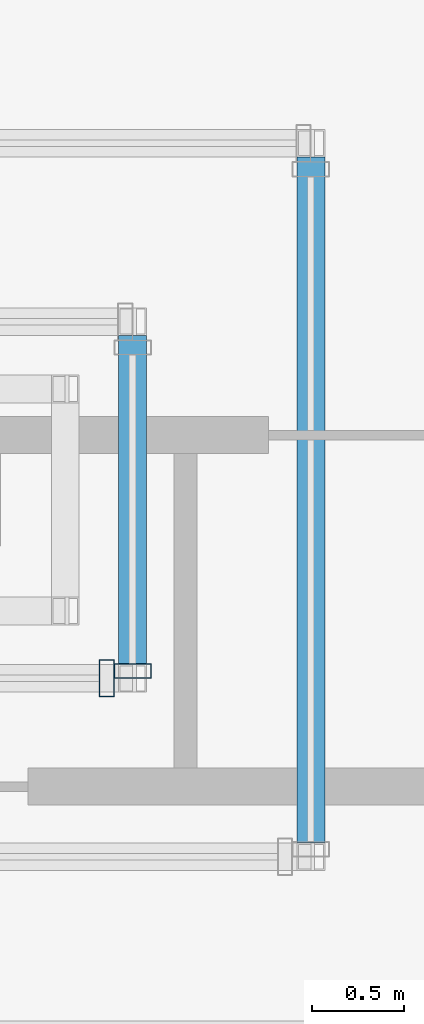
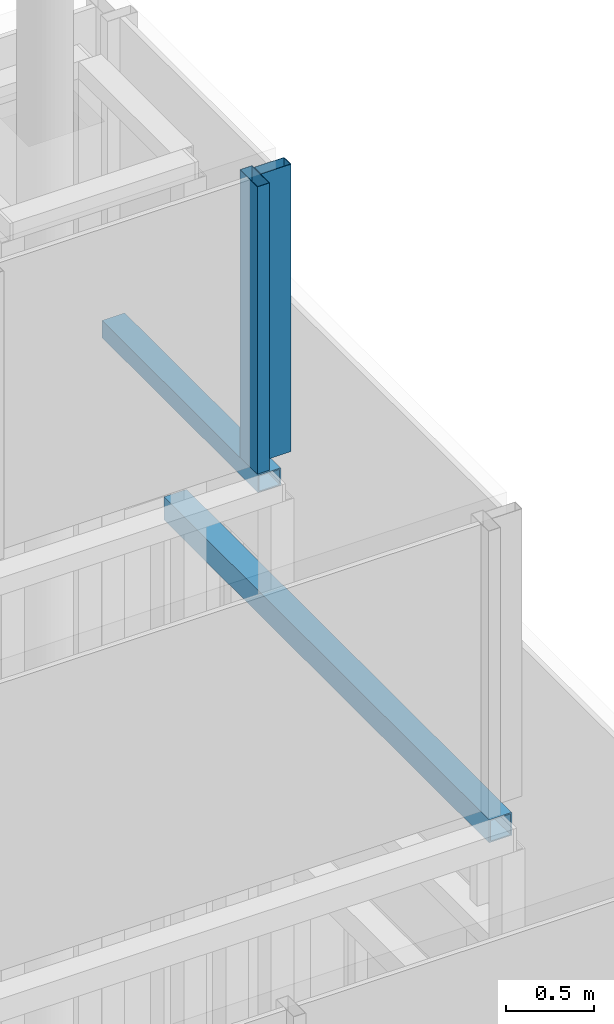
# One storey, part 40 of 62: 2 beams, 2 members, 2 elements without a shape of their own.
"""IFC4 building model written with IfcOpenShell, lengths in metres."""

from ifc_helpers import new_model, si_unit, direction, frame, origin, origin_2d, place, context, subcontext, project, spatial, hollow_rectangle, extrude, material, material_profile, profile_set, type_object, element, aggregate, save


model = new_model("IFC4")

# Units and contexts
model_context = context("Model", 3, precision=1e-05, world=origin(), true_north=direction((0.0, 1.0)))
body_context = subcontext(model_context, "Body", "Model", "MODEL_VIEW")
ifc_project = project(units=[si_unit("LENGTHUNIT", "METRE"), si_unit("AREAUNIT", "SQUARE_METRE"), si_unit("VOLUMEUNIT", "CUBIC_METRE"), si_unit("PLANEANGLEUNIT", "RADIAN"), si_unit("MASSUNIT", "GRAM", prefix="KILO")], contexts=[model_context])

# Site, building, storey
site_placement = place(None, origin())
site = spatial("IfcSite", under=ifc_project, at=site_placement, CompositionType="ELEMENT")
building_placement = place(site_placement, origin())
building = spatial("IfcBuilding", under=site, at=building_placement, Name="Altepetl Exchange Towers", CompositionType="ELEMENT")
storey_placement = place(building_placement, frame((0.0, 0.0, 210.0)))
storey = spatial("IfcBuildingStorey", under=building, at=storey_placement, Name="L53", CompositionType="ELEMENT", Elevation=210.0)

# Beams
ifc_material_1 = material(Name="Steel S355", Category="steel")
ifc_material_profile_1 = material_profile(ifc_material_1, hollow_rectangle(XDim=0.14990234375, YDim=0.1201171875, WallThickness=0.008056640625, at=origin_2d()), Name="RHS 120x150x8")
ifc_profile_set_1 = profile_set([ifc_material_profile_1], Name="Steel S355")
beam_type_1 = type_object("IfcBeamType", Name="Crown ring beam hollow section 150x120x8", PredefinedType="BEAM", material=ifc_profile_set_1)
beam_1_placement = place(storey_placement, frame((111.21435546875, 41.860595703125, 14.139892578125), z_axis=(0.0, 1.0, 0.0), x_axis=(-1.0, 0.0, 0.0)))
element("IfcBeam", 1, at=beam_1_placement, inside=storey, type_object=beam_type_1, Name="Crown ring beam", PredefinedType="BEAM", context=body_context, shape_type="SweptSolid", body=[
    extrude(hollow_rectangle(XDim=0.14990234375, YDim=0.1201171875, WallThickness=0.008056640625, at=origin_2d()), origin(), (0.0, 0.0, 1.0), 1.77880859375),
])
ifc_material_profile_2 = material_profile(ifc_material_1, hollow_rectangle(XDim=0.14990234375, YDim=0.159912109375, WallThickness=0.008056640625, at=origin_2d()), Name="RHS 160x150x8")
ifc_profile_set_2 = profile_set([ifc_material_profile_2], Name="Steel S355")
beam_type_2 = type_object("IfcBeamType", Name="Crown ring beam hollow section 150x160x8", PredefinedType="BEAM", material=ifc_profile_set_2)
beam_2_placement = place(storey_placement, frame((112.178466796875, 40.896484375, 11.969970703125), z_axis=(0.0, 1.0, 0.0), x_axis=(-1.0, 0.0, 0.0)))
element("IfcBeam", 2, at=beam_2_placement, inside=storey, type_object=beam_type_2, Name="Crown ring beam", PredefinedType="BEAM", context=body_context, shape_type="SweptSolid", body=[
    extrude(hollow_rectangle(XDim=0.14990234375, YDim=0.159912109375, WallThickness=0.008056640625, at=origin_2d()), origin(), (0.0, 0.0, 1.0), 3.70703125),
])

# Curtain wall, member
ifc_material_2 = material(Name="Aluminium 6063-T6 glazing", Category="aluminium")
curtain_wall_type = type_object("IfcCurtainWallType", Name="Crown glazing system", PredefinedType="NOTDEFINED", material=ifc_material_2)
curtain_wall_1_placement = place(storey_placement, origin())
curtain_wall_1 = element("IfcCurtainWall", 3, at=curtain_wall_1_placement, inside=storey, type_object=curtain_wall_type, Name="CW7 run", PredefinedType="NOTDEFINED")
ifc_material_3 = material(Name="Aluminium 6063-T6", Category="aluminium")
ifc_material_profile_3 = material_profile(ifc_material_3, hollow_rectangle(XDim=0.080078125, YDim=0.199951171875, WallThickness=0.0029296875, at=origin_2d()), Name="Mullion 80x200 hollow aluminium")
ifc_profile_set_3 = profile_set([ifc_material_profile_3], Name="Aluminium 6063-T6")
member_type = type_object("IfcMemberType", Name="Mullion 80x200 hollow aluminium", PredefinedType="MULLION", material=ifc_profile_set_3)
member_1_placement = place(storey_placement, frame((111.07421875, 41.78564453125, 14.35009765625)))
member_1 = element("IfcMember", 4, at=member_1_placement, type_object=member_type, Name="MU5 mullion", PredefinedType="MULLION", context=body_context, shape_type="SweptSolid", body=[
    extrude(hollow_rectangle(XDim=0.080078125, YDim=0.199951171875, WallThickness=0.0029296875, at=origin_2d()), origin(), (0.0, 0.0, 1.0), 2.0),
])
aggregate(curtain_wall_1, [member_1])

curtain_wall_2_placement = place(storey_placement, origin())
curtain_wall_2 = element("IfcCurtainWall", 5, at=curtain_wall_2_placement, inside=storey, type_object=curtain_wall_type, Name="CW7 run", PredefinedType="NOTDEFINED")
member_2_placement = place(storey_placement, frame((111.21435546875, 41.82568359375, 14.35009765625), z_axis=(0.0, 0.0, 1.0), x_axis=(0.0, 1.0, 0.0)))
member_2 = element("IfcMember", 6, at=member_2_placement, type_object=member_type, Name="MU5 mullion", PredefinedType="MULLION", context=body_context, shape_type="SweptSolid", body=[
    extrude(hollow_rectangle(XDim=0.080078125, YDim=0.199951171875, WallThickness=0.0029296875, at=origin_2d()), origin(), (0.0, 0.0, 1.0), 2.0),
])
aggregate(curtain_wall_2, [member_2])

save(model, "model.ifc")
